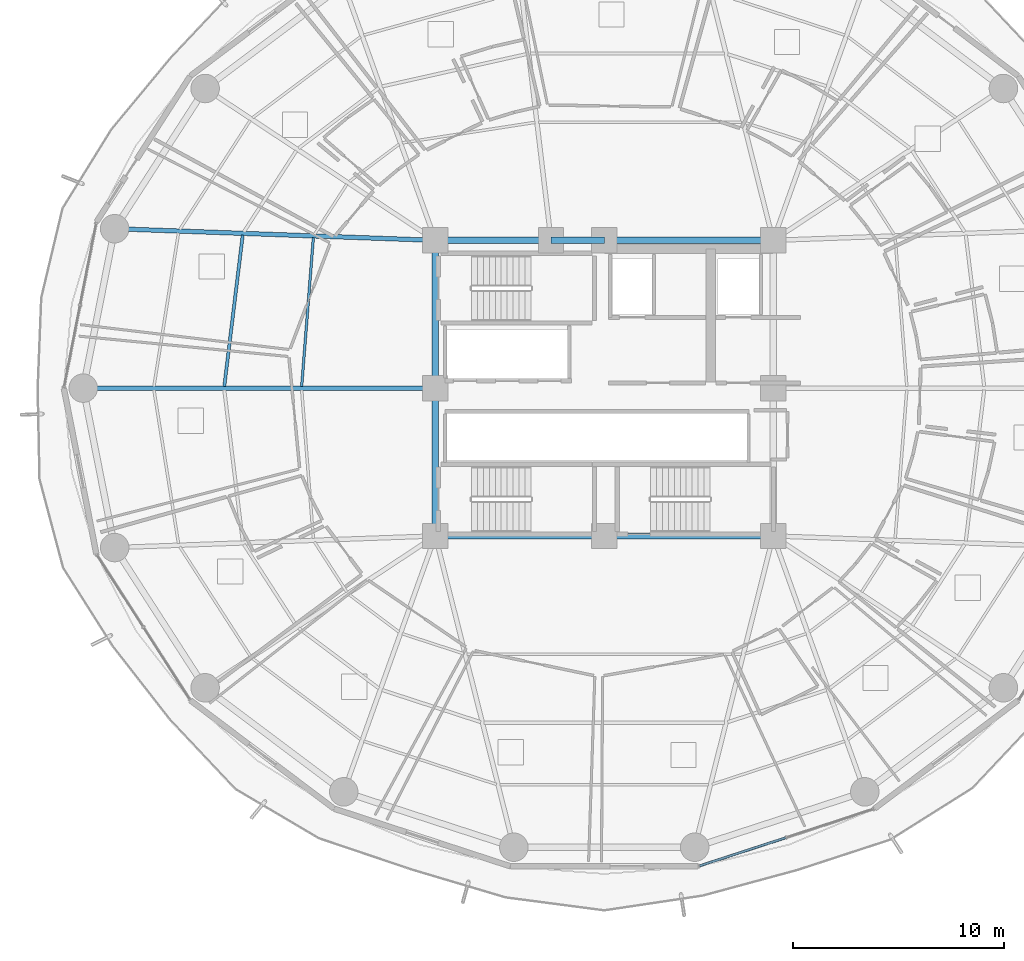
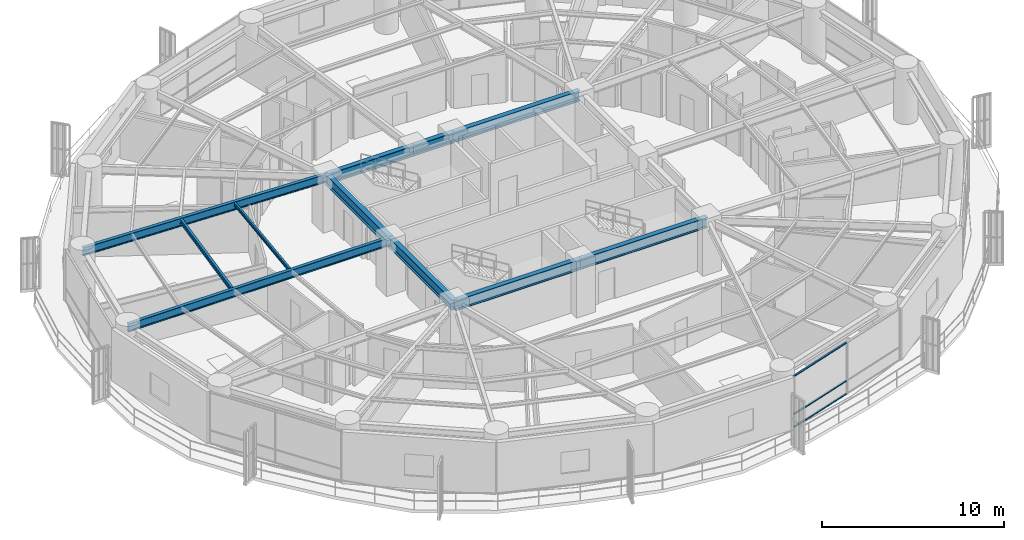
# One storey, part 9 of 38: 11 beams, 3 members, 1 element without a shape of its own.
"""IFC4 building model written with IfcOpenShell, lengths in metres."""

from ifc_helpers import new_model, si_unit, direction, frame, origin, origin_2d, place, context, subcontext, project, spatial, hollow_rectangle, i_section, extrude, material, layer, layer_set, material_profile, profile_set, type_object, element, aggregate, save


model = new_model("IFC4")

# Units and contexts
model_context = context("Model", 3, precision=1e-05, world=origin(), true_north=direction((0.0, 1.0)))
body_context = subcontext(model_context, "Body", "Model", "MODEL_VIEW")
ifc_project = project(units=[si_unit("LENGTHUNIT", "METRE"), si_unit("AREAUNIT", "SQUARE_METRE"), si_unit("VOLUMEUNIT", "CUBIC_METRE"), si_unit("PLANEANGLEUNIT", "RADIAN"), si_unit("MASSUNIT", "GRAM", prefix="KILO")], contexts=[model_context])

# Site, building, storey
site_placement = place(None, origin())
site = spatial("IfcSite", under=ifc_project, at=site_placement, CompositionType="ELEMENT")
building_placement = place(site_placement, origin())
building = spatial("IfcBuilding", under=site, at=building_placement, Name="Kelanora Arch Commons", CompositionType="ELEMENT")
storey_placement = place(building_placement, frame((0.0, 0.0, 106.35009765625)))
storey = spatial("IfcBuildingStorey", under=building, at=storey_placement, Name="L27", CompositionType="ELEMENT", Elevation=106.35009765625)

# Beams
ifc_material_1 = material(Name="Steel S355", Category="steel")
ifc_material_profile_1 = material_profile(ifc_material_1, i_section(OverallWidth=0.300048828125, OverallDepth=0.699951171875, WebThickness=0.01708984375, FlangeThickness=0.031982421875, FilletRadius=0.027099609375, at=origin_2d()), Name="HEB700")
ifc_profile_set_1 = profile_set([ifc_material_profile_1], Name="Steel S355")
beam_type_1 = type_object("IfcBeamType", Name="BM-CORE-HDR", PredefinedType="BEAM", material=ifc_profile_set_1)
for number, where, z_axis, x_axis, name in (
    (1, (66.0, 51.0, 3.139892578125), (1.0, 0.0, 0.0), (0.0, 1.0, 0.0), "Core Header Beam 01 L27"),
    (2, (74.0, 51.0, 3.139892578125), (1.0, 0.0, 0.0), (0.0, 1.0, 0.0), "Core Header Beam 02 L27"),
    (3, (82.0, 65.0, 3.139892578125), (-1.0, 0.0, 0.0), (0.0, -1.0, 0.0), "Core Header Beam 05 L27"),
):
    element("IfcBeam", number, at=place(storey_placement, frame(where, z_axis=z_axis, x_axis=x_axis)), inside=storey, type_object=beam_type_1, Name=name, PredefinedType="BEAM", context=body_context, shape_type="SweptSolid", body=[
        extrude(i_section(OverallWidth=0.300048828125, OverallDepth=0.699951171875, WebThickness=0.01708984375, FlangeThickness=0.031982421875, FilletRadius=0.027099609375, at=origin_2d()), origin(), (0.0, 0.0, 1.0), 8.0),
    ])
beam_1_placement = place(storey_placement, frame((74.0, 65.0, 3.139892578125), z_axis=(-1.0, 0.0, 0.0), x_axis=(0.0, -1.0, 0.0)))
element("IfcBeam", 4, at=beam_1_placement, inside=storey, type_object=beam_type_1, Name="Core Header Beam 06 L27", PredefinedType="BEAM", context=body_context, shape_type="SweptSolid", body=[
    extrude(i_section(OverallWidth=0.300048828125, OverallDepth=0.699951171875, WebThickness=0.01708984375, FlangeThickness=0.031982421875, FilletRadius=0.027099609375, at=origin_2d()), origin(), (0.0, 0.0, 1.0), 2.52001953125),
])
beam_2_placement = place(storey_placement, frame((71.47998046875, 65.0, 3.139892578125), z_axis=(-1.0, 0.0, 0.0), x_axis=(0.0, -1.0, 0.0)))
element("IfcBeam", 5, at=beam_2_placement, inside=storey, type_object=beam_type_1, Name="Core Header Beam 07 L27", PredefinedType="BEAM", context=body_context, shape_type="SweptSolid", body=[
    extrude(i_section(OverallWidth=0.300048828125, OverallDepth=0.699951171875, WebThickness=0.01708984375, FlangeThickness=0.031982421875, FilletRadius=0.027099609375, at=origin_2d()), origin(), (0.0, 0.0, 1.0), 5.47998046875),
])
for number, where, z_axis, x_axis, name in (
    (6, (66.0, 65.0, 3.139892578125), (0.0, -1.0, 0.0), (1.0, 0.0, 0.0), "Core Header Beam 08 L27"),
    (7, (66.0, 58.0, 3.139892578125), (0.0, -1.0, 0.0), (1.0, 0.0, 0.0), "Core Header Beam 09 L27"),
):
    element("IfcBeam", number, at=place(storey_placement, frame(where, z_axis=z_axis, x_axis=x_axis)), inside=storey, type_object=beam_type_1, Name=name, PredefinedType="BEAM", context=body_context, shape_type="SweptSolid", body=[
        extrude(i_section(OverallWidth=0.300048828125, OverallDepth=0.699951171875, WebThickness=0.01708984375, FlangeThickness=0.031982421875, FilletRadius=0.027099609375, at=origin_2d()), origin(), (0.0, 0.0, 1.0), 7.0),
    ])
ifc_material_profile_2 = material_profile(ifc_material_1, i_section(OverallWidth=0.14990234375, OverallDepth=0.300048828125, WebThickness=0.007080078125, FlangeThickness=0.0107421875, FilletRadius=0.014892578125, at=origin_2d()), Name="IPE300")
ifc_profile_set_2 = profile_set([ifc_material_profile_2], Name="Steel S355")
beam_type_2 = type_object("IfcBeamType", Name="BM-JST-01", PredefinedType="JOIST", material=ifc_profile_set_2)
beam_3_placement = place(storey_placement, frame((56.874755859375, 65.24658203125, 3.33984375), z_axis=(-0.120935645266, -0.992660349618, 0.0), x_axis=(0.992660349618, -0.120935645266, 0.0)))
element("IfcBeam", 8, at=beam_3_placement, inside=storey, type_object=beam_type_2, Name="Secondary Chord Joist BJB-16 L27", PredefinedType="JOIST", context=body_context, shape_type="SweptSolid", body=[
    extrude(i_section(OverallWidth=0.14990234375, OverallDepth=0.300048828125, WebThickness=0.007080078125, FlangeThickness=0.0107421875, FilletRadius=0.014892578125, at=origin_2d()), origin(), (0.0, 0.0, 1.0), 7.215087890625),
])
ifc_material_profile_3 = material_profile(ifc_material_1, i_section(OverallWidth=0.1201171875, OverallDepth=0.239990234375, WebThickness=0.006103515625, FlangeThickness=0.009765625, FilletRadius=0.014892578125, at=origin_2d()), Name="IPE240")
ifc_profile_set_3 = profile_set([ifc_material_profile_3], Name="Steel S355")
beam_type_3 = type_object("IfcBeamType", Name="BM-JST-02", PredefinedType="JOIST", material=ifc_profile_set_3)
beam_4_placement = place(storey_placement, frame((60.220458984375, 65.125, 3.369873046875), z_axis=(-0.078200677502, -0.996937637989, 0.0), x_axis=(0.996937637989, -0.078200677502, 0.0)))
element("IfcBeam", 9, at=beam_4_placement, inside=storey, type_object=beam_type_3, Name="Secondary Chord Joist BJA-16 L27", PredefinedType="JOIST", context=body_context, shape_type="SweptSolid", body=[
    extrude(i_section(OverallWidth=0.1201171875, OverallDepth=0.239990234375, WebThickness=0.006103515625, FlangeThickness=0.009765625, FilletRadius=0.014892578125, at=origin_2d()), origin(), (0.0, 0.0, 1.0), 7.06201171875),
])
ifc_material_profile_4 = material_profile(ifc_material_1, i_section(OverallWidth=0.2099609375, OverallDepth=0.550048828125, WebThickness=0.010986328125, FlangeThickness=0.01708984375, FilletRadius=0.02392578125, at=origin_2d()), Name="IPE550")
ifc_profile_set_4 = profile_set([ifc_material_profile_4], Name="Steel S355")
beam_type_4 = type_object("IfcBeamType", Name="BM-RAD-Z2", PredefinedType="BEAM", material=ifc_profile_set_4)
beam_5_placement = place(storey_placement, frame((66.0, 65.0, 3.21484375), z_axis=(-0.999341087625, 0.036295875581, 0.0), x_axis=(-0.036295875581, -0.999341087625, 0.0)))
element("IfcBeam", 10, at=beam_5_placement, inside=storey, type_object=beam_type_4, Name="Radial Floor Girder BR-16 L27", PredefinedType="BEAM", context=body_context, shape_type="SweptSolid", body=[
    extrude(i_section(OverallWidth=0.2099609375, OverallDepth=0.550048828125, WebThickness=0.010986328125, FlangeThickness=0.01708984375, FilletRadius=0.02392578125, at=origin_2d()), origin(), (0.0, 0.0, 1.0), 15.20166015625),
])
beam_6_placement = place(storey_placement, frame((66.0, 58.0, 3.21484375), z_axis=(-1.0, 0.0, 0.0), x_axis=(0.0, -1.0, 0.0)))
element("IfcBeam", 11, at=beam_6_placement, inside=storey, type_object=beam_type_4, Name="Radial Floor Girder BR-18 L27", PredefinedType="BEAM", context=body_context, shape_type="SweptSolid", body=[
    extrude(i_section(OverallWidth=0.2099609375, OverallDepth=0.550048828125, WebThickness=0.010986328125, FlangeThickness=0.01708984375, FilletRadius=0.02392578125, at=origin_2d()), origin(), (0.0, 0.0, 1.0), 16.679931640625),
])

# Curtain wall, members
ifc_material_2 = material(Name="Terracotta ceramic-fritted low-E glass and aluminium", Category="masonry")
ifc_layer = layer(ifc_material_2, 0.159912109375)
ifc_layer_set = layer_set([ifc_layer], Name="Terracotta ceramic-fritted low-E glass and aluminium")
curtain_wall_type = type_object("IfcCurtainWallType", Name="CW-SYS-01", PredefinedType="NOTDEFINED", material=ifc_layer_set)
curtain_wall_placement = place(storey_placement, origin())
curtain_wall = element("IfcCurtainWall", 12, at=curtain_wall_placement, inside=storey, type_object=curtain_wall_type, Name="Unitised Curtain Wall L27-B14", PredefinedType="NOTDEFINED")
ifc_material_3 = material(Name="Powder-coated aluminium terracotta", Category="masonry")
ifc_material_profile_5 = material_profile(ifc_material_3, hollow_rectangle(XDim=0.1201171875, YDim=0.06005859375, WallThickness=0.0048828125, InnerFilletRadius=0.0048828125, OuterFilletRadius=0.010009765625, at=origin_2d()), Name="CWT120x60")
ifc_profile_set_5 = profile_set([ifc_material_profile_5], Name="Powder-coated aluminium terracotta")
member_type = type_object("IfcMemberType", Name="CWT-STD", PredefinedType="USERDEFINED", material=ifc_profile_set_5)
member_1_placement = place(storey_placement, frame((78.516845703125, 35.372802734375, 0.02978515625), z_axis=(0.950477544745, 0.31079323824, 0.0), x_axis=(-0.31079323824, 0.950477544745, 0.0)))
member_1 = element("IfcMember", 13, at=member_1_placement, type_object=member_type, Name="CW-01 transom 1.1", ObjectType="TRANSOM", PredefinedType="USERDEFINED", context=body_context, shape_type="SweptSolid", body=[
    extrude(hollow_rectangle(XDim=0.1201171875, YDim=0.06005859375, WallThickness=0.0048828125, InnerFilletRadius=0.0048828125, OuterFilletRadius=0.010009765625, at=origin_2d()), origin(), (0.0, 0.0, 1.0), 4.289794921875),
])
member_2_placement = place(storey_placement, frame((78.516845703125, 35.372802734375, 0.89990234375), z_axis=(0.950477544745, 0.31079323824, 0.0), x_axis=(-0.31079323824, 0.950477544745, 0.0)))
member_2 = element("IfcMember", 14, at=member_2_placement, type_object=member_type, Name="CW-01 transom 1.2", ObjectType="TRANSOM", PredefinedType="USERDEFINED", context=body_context, shape_type="SweptSolid", body=[
    extrude(hollow_rectangle(XDim=0.1201171875, YDim=0.06005859375, WallThickness=0.0048828125, InnerFilletRadius=0.0048828125, OuterFilletRadius=0.010009765625, at=origin_2d()), origin(), (0.0, 0.0, 1.0), 4.289794921875),
])
member_3_placement = place(storey_placement, frame((78.516845703125, 35.372802734375, 3.44482421875), z_axis=(0.950477544745, 0.31079323824, 0.0), x_axis=(-0.31079323824, 0.950477544745, 0.0)))
member_3 = element("IfcMember", 15, at=member_3_placement, type_object=member_type, Name="CW-01 transom 1.3", ObjectType="TRANSOM", PredefinedType="USERDEFINED", context=body_context, shape_type="SweptSolid", body=[
    extrude(hollow_rectangle(XDim=0.1201171875, YDim=0.06005859375, WallThickness=0.0048828125, InnerFilletRadius=0.0048828125, OuterFilletRadius=0.010009765625, at=origin_2d()), origin(), (0.0, 0.0, 1.0), 4.289794921875),
])
aggregate(curtain_wall, [member_1, member_2, member_3])

save(model, "model.ifc")
